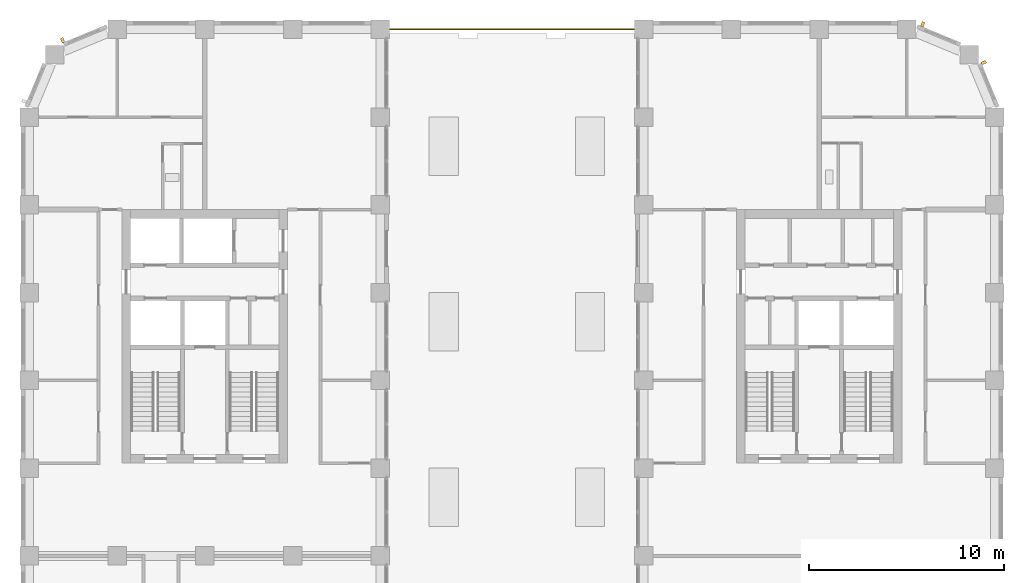
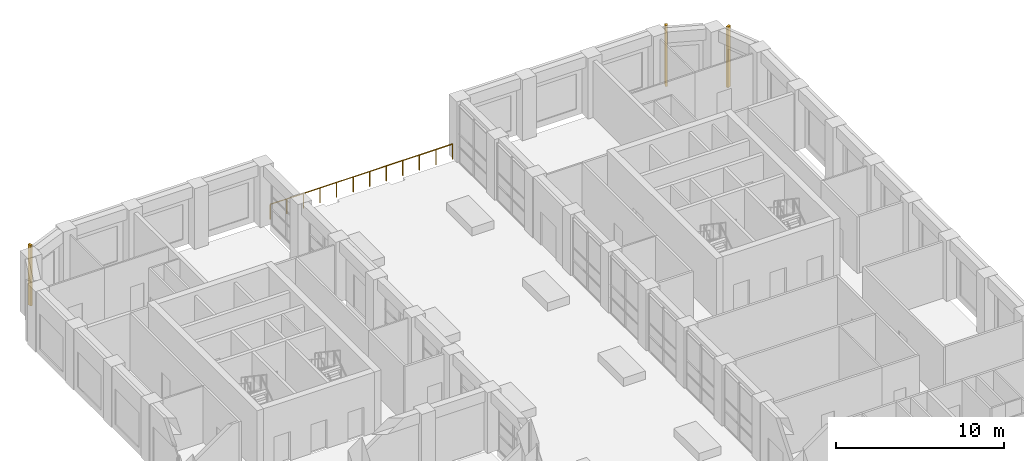
# One storey, part 18 of 20: 3 shading devices, 1 railing.
"""IFC4 building model written with IfcOpenShell, lengths in metres."""

from ifc_helpers import new_model, si_unit, direction, frame, origin, origin_2d, place, context, subcontext, project, spatial, rectangle, circle, extrude, material, type_object, element, save


model = new_model("IFC4")

# Units and contexts
model_context = context("Model", 3, precision=1e-05, world=origin(), true_north=direction((0.0, 1.0)))
body_context = subcontext(model_context, "Body", "Model", "MODEL_VIEW")
ifc_project = project(units=[si_unit("LENGTHUNIT", "METRE"), si_unit("AREAUNIT", "SQUARE_METRE"), si_unit("VOLUMEUNIT", "CUBIC_METRE"), si_unit("PLANEANGLEUNIT", "RADIAN"), si_unit("MASSUNIT", "GRAM", prefix="KILO")], contexts=[model_context])

# Site, building, storey
site_placement = place(None, origin())
site = spatial("IfcSite", under=ifc_project, at=site_placement, CompositionType="ELEMENT")
building_placement = place(site_placement, origin())
building = spatial("IfcBuilding", under=site, at=building_placement, Name="Girih Gate Residences", CompositionType="ELEMENT")
storey_placement = place(building_placement, frame((0.0, 0.0, 146.199951171875)))
storey = spatial("IfcBuildingStorey", under=building, at=storey_placement, Name="L41", CompositionType="ELEMENT", Elevation=146.199951171875)

# Shading devices
ifc_material_1 = material(Name="Precast concrete C50/60", Category="concrete")
shading_device_type = type_object("IfcShadingDeviceType", Name="Corner rib 150x250", PredefinedType="USERDEFINED", material=ifc_material_1)
for number, where, z_axis, x_axis, name in (
    (1, (1.705322265625, 48.937744140625, 0.0), (0.0, 0.0, 1.0), (-0.923879532511, -0.382683432365, 0.0), "Corner rib NW0045_0495.0"),
    (2, (48.937744140625, 47.794677734375, 0.0), (0.0, 0.0, 1.0), (-0.382683432365, 0.923879532511, 0.0), "Corner rib NE0495_0450.0"),
    (3, (45.808349609375, 49.760498046875, 0.0), (0.0, 0.0, 1.0), (-0.923879532511, 0.382683432365, 0.0), "Corner rib NE0482_0482.0"),
):
    element("IfcShadingDevice", number, at=place(storey_placement, frame(where, z_axis=z_axis, x_axis=x_axis)), inside=storey, type_object=shading_device_type, Name=name, ObjectType="FIN", PredefinedType="USERDEFINED", context=body_context, shape_type="SweptSolid", body=[
        extrude(rectangle(XDim=0.14990234375, YDim=0.25, at=origin_2d()), origin(), (0.0, 0.0, 1.0), 4.39990234375),
    ])

# Railing
ifc_material_2 = material(Name="Stainless steel and laminated glass", Category="steel")
railing_type = type_object("IfcRailingType", Name="Terrace guard 1100", PredefinedType="GUARDRAIL", material=ifc_material_2)
railing_placement = place(storey_placement, frame((31.0, 49.5, 0.0)))
element("IfcRailing", 4, at=railing_placement, inside=storey, type_object=railing_type, Name="Terrace guard Sky garden 1", PredefinedType="GUARDRAIL", context=body_context, shape_type="SweptSolid", body=[
    extrude(circle(Radius=0.02490234375, at=origin_2d()), frame((0.0, 0.0, 1.0751953125), z_axis=(-1.0, 0.0, 0.0), x_axis=(0.0, -1.0, 0.0)), (0.0, 0.0, 1.0), 12.5),
    extrude(circle(Radius=0.02490234375, at=origin_2d()), origin(), (0.0, 0.0, 1.0), 1.050048828125),
    extrude(circle(Radius=0.02490234375, at=origin_2d()), frame((-1.136474609375, 0.0, 0.0)), (0.0, 0.0, 1.0), 1.050048828125),
    extrude(circle(Radius=0.02490234375, at=origin_2d()), frame((-2.272705078125, 0.0, 0.0)), (0.0, 0.0, 1.0), 1.050048828125),
    extrude(circle(Radius=0.02490234375, at=origin_2d()), frame((-3.4091796875, 0.0, 0.0)), (0.0, 0.0, 1.0), 1.050048828125),
    extrude(circle(Radius=0.02490234375, at=origin_2d()), frame((-4.54541015625, 0.0, 0.0)), (0.0, 0.0, 1.0), 1.050048828125),
    extrude(circle(Radius=0.02490234375, at=origin_2d()), frame((-5.681884765625, 0.0, 0.0)), (0.0, 0.0, 1.0), 1.050048828125),
    extrude(circle(Radius=0.02490234375, at=origin_2d()), frame((-6.818115234375, 0.0, 0.0)), (0.0, 0.0, 1.0), 1.050048828125),
    extrude(circle(Radius=0.02490234375, at=origin_2d()), frame((-7.95458984375, 0.0, 0.0)), (0.0, 0.0, 1.0), 1.050048828125),
    extrude(circle(Radius=0.02490234375, at=origin_2d()), frame((-9.0908203125, 0.0, 0.0)), (0.0, 0.0, 1.0), 1.050048828125),
    extrude(circle(Radius=0.02490234375, at=origin_2d()), frame((-10.227294921875, 0.0, 0.0)), (0.0, 0.0, 1.0), 1.050048828125),
    extrude(circle(Radius=0.02490234375, at=origin_2d()), frame((-11.363525390625, 0.0, 0.0)), (0.0, 0.0, 1.0), 1.050048828125),
    extrude(circle(Radius=0.02490234375, at=origin_2d()), frame((-12.5, 0.0, 0.0)), (0.0, 0.0, 1.0), 1.050048828125),
])

save(model, "model.ifc")
